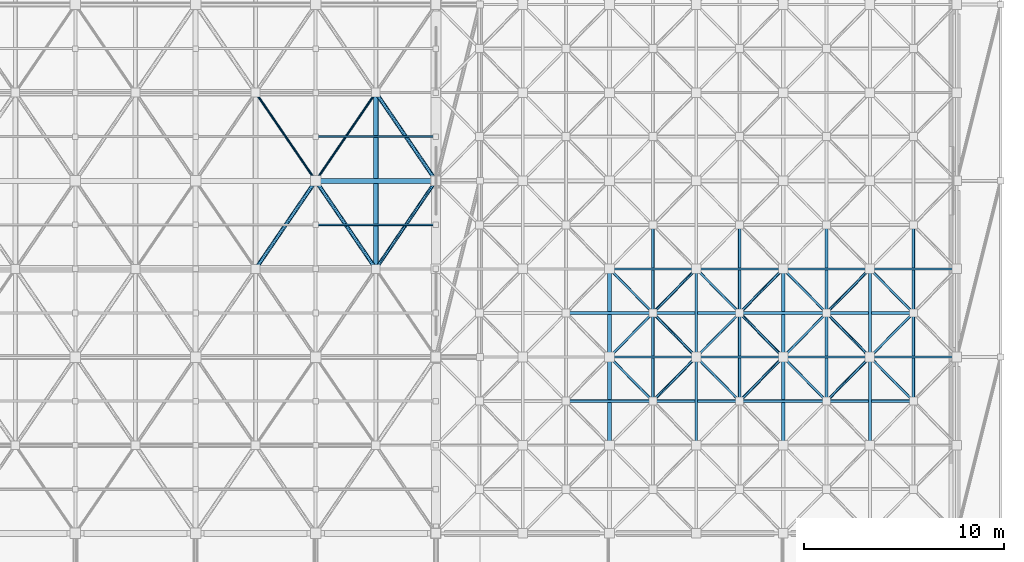
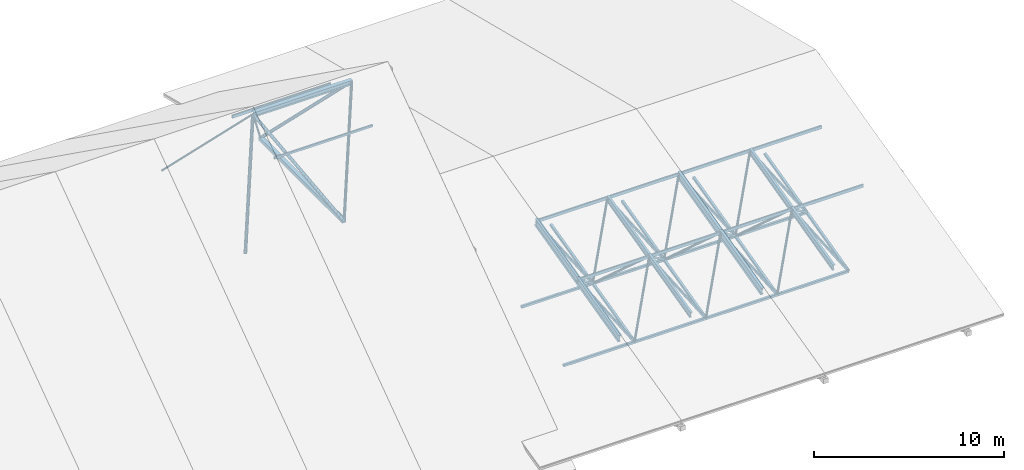
# One storey, part 27 of 55: 63 members.
"""IFC4 building model written with IfcOpenShell, lengths in metres."""

from ifc_helpers import new_model, si_unit, direction, frame, origin, origin_2d, place, context, subcontext, project, spatial, hollow_rectangle, hollow_circle, i_section, extrude, material, material_profile, profile_set, type_object, element, save


model = new_model("IFC4")

# Units and contexts
model_context = context("Model", 3, precision=1e-05, world=origin(), true_north=direction((0.0, 1.0)))
body_context = subcontext(model_context, "Body", "Model", "MODEL_VIEW")
ifc_project = project(units=[si_unit("LENGTHUNIT", "METRE"), si_unit("AREAUNIT", "SQUARE_METRE"), si_unit("VOLUMEUNIT", "CUBIC_METRE"), si_unit("PLANEANGLEUNIT", "RADIAN"), si_unit("MASSUNIT", "GRAM", prefix="KILO")], contexts=[model_context])

# Site, building, storey
site_placement = place(None, origin())
site = spatial("IfcSite", under=ifc_project, at=site_placement, CompositionType="ELEMENT")
building_placement = place(site_placement, origin())
building = spatial("IfcBuilding", under=site, at=building_placement, Name="Varnakota Cinema and Media Centre", CompositionType="ELEMENT")
storey_placement = place(building_placement, frame((0.0, 0.0, 15.60009765625)))
storey = spatial("IfcBuildingStorey", under=building, at=storey_placement, Name="L04", CompositionType="ELEMENT", Elevation=15.60009765625)

# Members
ifc_material_1 = material(Name="Structural steel S355 (YSt 355)", Category="steel")
ifc_material_profile_1 = material_profile(ifc_material_1, hollow_circle(Radius=0.05712890625, WallThickness=0.00537109375, at=origin_2d()), Name="CHS 114.3x5.4")
ifc_profile_set_1 = profile_set([ifc_material_profile_1], Name="Structural steel S355 (YSt 355)")
member_type_1 = type_object("IfcMemberType", Name="MEM-ST-CHS114_3x5_4", PredefinedType="BRACE", material=ifc_profile_set_1)
for number, where, z_axis, x_axis, name in (
    (1, (126.0, 22.0, 7.64990234375), (0.40117263642, -0.58837347441, 0.702052113734), (0.826221523208, 0.563345359959, 0.0), "V1 space-frame diagonal 9.3.2"),
    (2, (132.0, 22.0, 7.64990234375), (-0.40117263642, -0.58837347441, 0.702052113734), (0.826221523208, -0.563345359959, 0.0), "V1 space-frame diagonal 10.3.1"),
):
    element("IfcMember", number, at=place(storey_placement, frame(where, z_axis=z_axis, x_axis=x_axis)), inside=storey, type_object=member_type_1, Name=name, PredefinedType="BRACE", context=body_context, shape_type="SweptSolid", body=[
        extrude(hollow_circle(Radius=0.05712890625, WallThickness=0.00537109375, at=origin_2d()), origin(), (0.0, 0.0, 1.0), 7.47802734375),
    ])
ifc_material_2 = material(Name="Structural steel S355 (YSt 355)", Category="steel")
ifc_material_profile_2 = material_profile(ifc_material_2, hollow_circle(Radius=0.06982421875, WallThickness=0.006103515625, at=origin_2d()), Name="CHS 139.7x6.0")
ifc_profile_set_2 = profile_set([ifc_material_profile_2], Name="Structural steel S355 (YSt 355)")
member_type_2 = type_object("IfcMemberType", Name="MEM-ST-CHS139_7x6_0", PredefinedType="CHORD", material=ifc_profile_set_2)
member_1_placement = place(storey_placement, frame((145.833251953125, 6.60009765625, -0.9501953125), z_axis=(0.47175085434, 0.478979937854, 0.740290044889), x_axis=(-0.712462822052, 0.701709859695, 0.0)))
element("IfcMember", 3, at=member_1_placement, inside=storey, type_object=member_type_2, Name="V2 space-truss diagonal 3.2.4", PredefinedType="CHORD", context=body_context, shape_type="SweptSolid", body=[
    extrude(hollow_circle(Radius=0.06982421875, WallThickness=0.006103515625, at=origin_2d()), origin(), (0.0, 0.0, 1.0), 4.593017578125),
])
member_2_placement = place(storey_placement, frame((145.833251953125, 11.0, 0.14990234375), z_axis=(0.562747911139, -0.571371428425, 0.597368796714), x_axis=(0.712462822052, 0.701709859695, 0.0)))
element("IfcMember", 4, at=member_2_placement, inside=storey, type_object=member_type_2, Name="V2 space-truss diagonal 3.3.2", PredefinedType="CHORD", context=body_context, shape_type="SweptSolid", body=[
    extrude(hollow_circle(Radius=0.06982421875, WallThickness=0.006103515625, at=origin_2d()), origin(), (0.0, 0.0, 1.0), 3.850341796875),
])
for number, where, z_axis, x_axis, name in (
    (5, (145.833251953125, 11.0, 0.14990234375), (0.47176941823, 0.478998786216, 0.74026601896), (-0.712462822052, 0.701709859695, 0.0), "V2 space-truss diagonal 3.3.4"),
    (6, (150.166748046875, 6.60009765625, -0.9501953125), (0.471709527351, 0.478991948496, 0.740308608002), (-0.712502351494, 0.701669722246, 0.0), "V2 space-truss diagonal 4.2.4"),
):
    element("IfcMember", number, at=place(storey_placement, frame(where, z_axis=z_axis, x_axis=x_axis)), inside=storey, type_object=member_type_2, Name=name, PredefinedType="CHORD", context=body_context, shape_type="SweptSolid", body=[
        extrude(hollow_circle(Radius=0.06982421875, WallThickness=0.006103515625, at=origin_2d()), origin(), (0.0, 0.0, 1.0), 4.5927734375),
    ])
member_3_placement = place(storey_placement, frame((150.166748046875, 11.0, 0.14990234375), z_axis=(0.562704581049, -0.571391816523, 0.59739011247), x_axis=(0.712502351494, 0.701669722246, 0.0)))
element("IfcMember", 7, at=member_3_placement, inside=storey, type_object=member_type_2, Name="V2 space-truss diagonal 4.3.2", PredefinedType="CHORD", context=body_context, shape_type="SweptSolid", body=[
    extrude(hollow_circle(Radius=0.06982421875, WallThickness=0.006103515625, at=origin_2d()), origin(), (0.0, 0.0, 1.0), 3.85009765625),
])
member_4_placement = place(storey_placement, frame((150.166748046875, 11.0, 0.14990234375), z_axis=(0.471728090545, 0.479010798276, 0.740284582931), x_axis=(-0.712502351494, 0.701669722246, 0.0)))
element("IfcMember", 8, at=member_4_placement, inside=storey, type_object=member_type_2, Name="V2 space-truss diagonal 4.3.4", PredefinedType="CHORD", context=body_context, shape_type="SweptSolid", body=[
    extrude(hollow_circle(Radius=0.06982421875, WallThickness=0.006103515625, at=origin_2d()), origin(), (0.0, 0.0, 1.0), 4.5927734375),
])
member_5_placement = place(storey_placement, frame((154.5, 6.60009765625, -0.9501953125), z_axis=(0.47175085434, 0.478979937854, 0.740290044889), x_axis=(-0.712462822052, 0.701709859695, 0.0)))
element("IfcMember", 9, at=member_5_placement, inside=storey, type_object=member_type_2, Name="V2 space-truss diagonal 5.2.4", PredefinedType="CHORD", context=body_context, shape_type="SweptSolid", body=[
    extrude(hollow_circle(Radius=0.06982421875, WallThickness=0.006103515625, at=origin_2d()), origin(), (0.0, 0.0, 1.0), 4.593017578125),
])
member_6_placement = place(storey_placement, frame((154.5, 11.0, 0.14990234375), z_axis=(0.562747911139, -0.571371428425, 0.597368796714), x_axis=(0.712462822052, 0.701709859695, 0.0)))
element("IfcMember", 10, at=member_6_placement, inside=storey, type_object=member_type_2, Name="V2 space-truss diagonal 5.3.2", PredefinedType="CHORD", context=body_context, shape_type="SweptSolid", body=[
    extrude(hollow_circle(Radius=0.06982421875, WallThickness=0.006103515625, at=origin_2d()), origin(), (0.0, 0.0, 1.0), 3.850341796875),
])
member_7_placement = place(storey_placement, frame((154.5, 11.0, 0.14990234375), z_axis=(0.47176941823, 0.478998786216, 0.74026601896), x_axis=(-0.712462822052, 0.701709859695, 0.0)))
element("IfcMember", 11, at=member_7_placement, inside=storey, type_object=member_type_2, Name="V2 space-truss diagonal 5.3.4", PredefinedType="CHORD", context=body_context, shape_type="SweptSolid", body=[
    extrude(hollow_circle(Radius=0.06982421875, WallThickness=0.006103515625, at=origin_2d()), origin(), (0.0, 0.0, 1.0), 4.5927734375),
])
ifc_material_3 = material(Name="Structural steel S355 (YSt 355)", Category="steel")
ifc_material_profile_3 = material_profile(ifc_material_3, hollow_circle(Radius=0.084228515625, WallThickness=0.00634765625, at=origin_2d()), Name="CHS 168.3x6.3")
ifc_profile_set_3 = profile_set([ifc_material_profile_3], Name="Structural steel S355 (YSt 355)")
member_type_3 = type_object("IfcMemberType", Name="MEM-ST-CHS168_3x6_3", PredefinedType="BRACE", material=ifc_profile_set_3)
member_8_placement = place(storey_placement, frame((132.0, 13.199951171875, 7.64990234375), z_axis=(0.40116493033, 0.588394819283, 0.702038628078), x_axis=(-0.826236071711, 0.563324022037, 0.0)))
element("IfcMember", 12, at=member_8_placement, inside=storey, type_object=member_type_3, Name="V1 space-frame diagonal 10.2.4", PredefinedType="BRACE", context=body_context, shape_type="SweptSolid", body=[
    extrude(hollow_circle(Radius=0.084228515625, WallThickness=0.00634765625, at=origin_2d()), origin(), (0.0, 0.0, 1.0), 7.478271484375),
])
ifc_material_4 = material(Name="Structural steel S355 (YSt 355)", Category="steel")
ifc_material_profile_4 = material_profile(ifc_material_4, hollow_circle(Radius=0.096923828125, WallThickness=0.00634765625, at=origin_2d()), Name="CHS 193.7x6.3")
ifc_profile_set_4 = profile_set([ifc_material_profile_4], Name="Structural steel S355 (YSt 355)")
member_type_4 = type_object("IfcMemberType", Name="MEM-ST-CHS193_7x6_3", PredefinedType="CHORD", material=ifc_profile_set_4)
for number, where, z_axis, x_axis, name in (
    (13, (126.0, 13.199951171875, 7.64990234375), (0.40116493033, 0.588394819283, 0.702038628078), (-0.826236071711, 0.563324022037, 0.0), "V1 space-frame diagonal 9.2.4"),
    (14, (132.0, 13.199951171875, 7.64990234375), (-0.40116493033, 0.588394819283, 0.702038628078), (-0.826236071711, -0.563324022037, 0.0), "V1 space-frame diagonal 10.2.3"),
):
    element("IfcMember", number, at=place(storey_placement, frame(where, z_axis=z_axis, x_axis=x_axis)), inside=storey, type_object=member_type_4, Name=name, PredefinedType="CHORD", context=body_context, shape_type="SweptSolid", body=[
        extrude(hollow_circle(Radius=0.096923828125, WallThickness=0.00634765625, at=origin_2d()), origin(), (0.0, 0.0, 1.0), 7.478271484375),
    ])
member_9_placement = place(storey_placement, frame((132.0, 22.0, 7.64990234375), z_axis=(0.40117263642, -0.58837347441, 0.702052113734), x_axis=(0.826221523208, 0.563345359959, 0.0)))
element("IfcMember", 15, at=member_9_placement, inside=storey, type_object=member_type_4, Name="V1 space-frame diagonal 10.3.2", PredefinedType="CHORD", context=body_context, shape_type="SweptSolid", body=[
    extrude(hollow_circle(Radius=0.096923828125, WallThickness=0.00634765625, at=origin_2d()), origin(), (0.0, 0.0, 1.0), 7.47802734375),
])
ifc_material_5 = material(Name="Structural steel Grade 350 (E350)", Category="steel")
ifc_material_profile_5 = material_profile(ifc_material_5, i_section(OverallWidth=0.25, OverallDepth=0.300048828125, WebThickness=0.009521484375, FlangeThickness=0.010498046875, FilletRadius=0.010986328125, at=origin_2d()), Name="ISHB 300")
ifc_profile_set_5 = profile_set([ifc_material_profile_5], Name="Structural steel Grade 350 (E350)")
member_type_5 = type_object("IfcMemberType", Name="MEM-ST-ISHB300", PredefinedType="CHORD", material=ifc_profile_set_5)
member_10_placement = place(storey_placement, frame((129.0, 17.60009765625, 12.89990234375), z_axis=(1.0, 0.0, 0.0), x_axis=(0.0, 1.0, 0.0)))
element("IfcMember", 16, at=member_10_placement, inside=storey, type_object=member_type_5, Name="V1 top longitudinal chord 10.3", PredefinedType="CHORD", context=body_context, shape_type="SweptSolid", body=[
    extrude(i_section(OverallWidth=0.25, OverallDepth=0.300048828125, WebThickness=0.009521484375, FlangeThickness=0.010498046875, FilletRadius=0.010986328125, at=origin_2d()), origin(), (0.0, 0.0, 1.0), 6.0),
])
ifc_material_6 = material(Name="Structural steel Grade 350 (E350)", Category="steel")
ifc_material_profile_6 = material_profile(ifc_material_6, i_section(OverallWidth=0.139892578125, OverallDepth=0.39990234375, WebThickness=0.0087890625, FlangeThickness=0.01611328125, FilletRadius=0.013916015625, at=origin_2d()), Name="ISMB 400")
ifc_profile_set_6 = profile_set([ifc_material_profile_6], Name="Structural steel Grade 350 (E350)")
member_type_6 = type_object("IfcMemberType", Name="MEM-ST-ISMB400", PredefinedType="RAFTER", material=ifc_profile_set_6)
member_11_placement = place(storey_placement, frame((148.0, 4.39990234375, 1.349853515625), z_axis=(0.0, 0.970139333719, 0.242548290392), x_axis=(-1.0, 0.0, 0.0)))
element("IfcMember", 17, at=member_11_placement, inside=storey, type_object=member_type_6, Name="V2 truss rafter 4.2", PredefinedType="RAFTER", context=body_context, shape_type="SweptSolid", body=[
    extrude(i_section(OverallWidth=0.139892578125, OverallDepth=0.39990234375, WebThickness=0.0087890625, FlangeThickness=0.01611328125, FilletRadius=0.013916015625, at=origin_2d()), origin(), (0.0, 0.0, 1.0), 4.53564453125),
])
member_12_placement = place(storey_placement, frame((148.0, 8.800048828125, 2.449951171875), z_axis=(0.0, 0.970148832916, 0.242510292547), x_axis=(-1.0, 0.0, 0.0)))
element("IfcMember", 18, at=member_12_placement, inside=storey, type_object=member_type_6, Name="V2 truss rafter 4.3", PredefinedType="RAFTER", context=body_context, shape_type="SweptSolid", body=[
    extrude(i_section(OverallWidth=0.139892578125, OverallDepth=0.39990234375, WebThickness=0.0087890625, FlangeThickness=0.01611328125, FilletRadius=0.013916015625, at=origin_2d()), origin(), (0.0, 0.0, 1.0), 4.535400390625),
])
member_13_placement = place(storey_placement, frame((156.666748046875, 4.39990234375, 1.349853515625), z_axis=(0.0, 0.970139333719, 0.242548290392), x_axis=(-1.0, 0.0, 0.0)))
element("IfcMember", 19, at=member_13_placement, inside=storey, type_object=member_type_6, Name="V2 truss rafter 6.2", PredefinedType="RAFTER", context=body_context, shape_type="SweptSolid", body=[
    extrude(i_section(OverallWidth=0.139892578125, OverallDepth=0.39990234375, WebThickness=0.0087890625, FlangeThickness=0.01611328125, FilletRadius=0.013916015625, at=origin_2d()), origin(), (0.0, 0.0, 1.0), 4.53564453125),
])
member_14_placement = place(storey_placement, frame((156.666748046875, 8.800048828125, 2.449951171875), z_axis=(0.0, 0.970148832916, 0.242510292547), x_axis=(-1.0, 0.0, 0.0)))
element("IfcMember", 20, at=member_14_placement, inside=storey, type_object=member_type_6, Name="V2 truss rafter 6.3", PredefinedType="RAFTER", context=body_context, shape_type="SweptSolid", body=[
    extrude(i_section(OverallWidth=0.139892578125, OverallDepth=0.39990234375, WebThickness=0.0087890625, FlangeThickness=0.01611328125, FilletRadius=0.013916015625, at=origin_2d()), origin(), (0.0, 0.0, 1.0), 4.535400390625),
])
ifc_material_7 = material(Name="Structural steel Grade 350 (E350)", Category="steel")
ifc_material_profile_7 = material_profile(ifc_material_7, i_section(OverallWidth=0.179931640625, OverallDepth=0.5, WebThickness=0.01025390625, FlangeThickness=0.01708984375, FilletRadius=0.01708984375, at=origin_2d()), Name="ISMB 500")
ifc_profile_set_7 = profile_set([ifc_material_profile_7], Name="Structural steel Grade 350 (E350)")
member_type_7 = type_object("IfcMemberType", Name="MEM-ST-ISMB500", PredefinedType="RAFTER", material=ifc_profile_set_7)
member_15_placement = place(storey_placement, frame((143.666748046875, 4.39990234375, 1.349853515625), z_axis=(0.0, 0.970139333719, 0.242548290392), x_axis=(-1.0, 0.0, 0.0)))
element("IfcMember", 21, at=member_15_placement, inside=storey, type_object=member_type_7, Name="V2 truss rafter 3.2", PredefinedType="RAFTER", context=body_context, shape_type="SweptSolid", body=[
    extrude(i_section(OverallWidth=0.179931640625, OverallDepth=0.5, WebThickness=0.01025390625, FlangeThickness=0.01708984375, FilletRadius=0.01708984375, at=origin_2d()), origin(), (0.0, 0.0, 1.0), 4.53564453125),
])
member_16_placement = place(storey_placement, frame((143.666748046875, 8.800048828125, 2.449951171875), z_axis=(0.0, 0.970148832916, 0.242510292547), x_axis=(-1.0, 0.0, 0.0)))
element("IfcMember", 22, at=member_16_placement, inside=storey, type_object=member_type_7, Name="V2 truss rafter 3.3", PredefinedType="RAFTER", context=body_context, shape_type="SweptSolid", body=[
    extrude(i_section(OverallWidth=0.179931640625, OverallDepth=0.5, WebThickness=0.01025390625, FlangeThickness=0.01708984375, FilletRadius=0.01708984375, at=origin_2d()), origin(), (0.0, 0.0, 1.0), 4.535400390625),
])
member_17_placement = place(storey_placement, frame((152.333251953125, 4.39990234375, 1.349853515625), z_axis=(0.0, 0.970139333719, 0.242548290392), x_axis=(-1.0, 0.0, 0.0)))
element("IfcMember", 23, at=member_17_placement, inside=storey, type_object=member_type_7, Name="V2 truss rafter 5.2", PredefinedType="RAFTER", context=body_context, shape_type="SweptSolid", body=[
    extrude(i_section(OverallWidth=0.179931640625, OverallDepth=0.5, WebThickness=0.01025390625, FlangeThickness=0.01708984375, FilletRadius=0.01708984375, at=origin_2d()), origin(), (0.0, 0.0, 1.0), 4.53564453125),
])
member_18_placement = place(storey_placement, frame((152.333251953125, 8.800048828125, 2.449951171875), z_axis=(0.0, 0.970148832916, 0.242510292547), x_axis=(-1.0, 0.0, 0.0)))
element("IfcMember", 24, at=member_18_placement, inside=storey, type_object=member_type_7, Name="V2 truss rafter 5.3", PredefinedType="RAFTER", context=body_context, shape_type="SweptSolid", body=[
    extrude(i_section(OverallWidth=0.179931640625, OverallDepth=0.5, WebThickness=0.01025390625, FlangeThickness=0.01708984375, FilletRadius=0.01708984375, at=origin_2d()), origin(), (0.0, 0.0, 1.0), 4.535400390625),
])
ifc_material_8 = material(Name="Structural steel S355 (YSt 355)", Category="steel")
ifc_material_profile_8 = material_profile(ifc_material_8, hollow_rectangle(XDim=0.10009765625, YDim=0.14990234375, WallThickness=0.006103515625, InnerFilletRadius=0.006103515625, OuterFilletRadius=0.011962890625, at=origin_2d()), Name="RHS 150x100x6")
ifc_profile_set_8 = profile_set([ifc_material_profile_8], Name="Structural steel S355 (YSt 355)")
member_type_8 = type_object("IfcMemberType", Name="MEM-ST-RHS150x100x6", PredefinedType="PURLIN", material=ifc_profile_set_8)
member_19_placement = place(storey_placement, frame((129.0, 15.39990234375, 11.40478515625), z_axis=(1.0, 0.0, 0.0), x_axis=(0.0, 1.0, 0.0)))
element("IfcMember", 25, at=member_19_placement, inside=storey, type_object=member_type_8, Name="V1 roof purlin 6.10", PredefinedType="PURLIN", context=body_context, shape_type="SweptSolid", body=[
    extrude(hollow_rectangle(XDim=0.10009765625, YDim=0.14990234375, WallThickness=0.006103515625, InnerFilletRadius=0.006103515625, OuterFilletRadius=0.011962890625, at=origin_2d()), origin(), (0.0, 0.0, 1.0), 6.0),
])
ifc_material_9 = material(Name="Structural steel S355 (YSt 355)", Category="steel")
ifc_material_profile_9 = material_profile(ifc_material_9, hollow_rectangle(XDim=0.10009765625, YDim=0.199951171875, WallThickness=0.006103515625, InnerFilletRadius=0.006103515625, OuterFilletRadius=0.011962890625, at=origin_2d()), Name="RHS 200x100x6")
ifc_profile_set_9 = profile_set([ifc_material_profile_9], Name="Structural steel S355 (YSt 355)")
member_type_9 = type_object("IfcMemberType", Name="MEM-ST-RHS200x100x6", PredefinedType="PURLIN", material=ifc_profile_set_9)
member_20_placement = place(storey_placement, frame((129.0, 19.800048828125, 11.40478515625), z_axis=(1.0, 0.0, 0.0), x_axis=(0.0, 1.0, 0.0)))
element("IfcMember", 26, at=member_20_placement, inside=storey, type_object=member_type_9, Name="V1 roof purlin 7.10", PredefinedType="PURLIN", context=body_context, shape_type="SweptSolid", body=[
    extrude(hollow_rectangle(XDim=0.10009765625, YDim=0.199951171875, WallThickness=0.006103515625, InnerFilletRadius=0.006103515625, OuterFilletRadius=0.011962890625, at=origin_2d()), origin(), (0.0, 0.0, 1.0), 6.0),
])
for number, where, z_axis, x_axis, name in (
    (27, (143.666748046875, 8.800048828125, 2.449951171875), (1.0, 0.0, 0.0), (0.0, 1.0, 0.0), "V2 top chord 3.3"),
    (28, (143.666748046875, 13.199951171875, 3.5498046875), (1.0, 0.0, 0.0), (0.0, 1.0, 0.0), "V2 top chord 3.4"),
    (29, (148.0, 8.800048828125, 2.449951171875), (1.0, 0.0, 0.0), (0.0, 1.0, 0.0), "V2 top chord 4.3"),
    (30, (148.0, 13.199951171875, 3.5498046875), (1.0, 0.0, 0.0), (0.0, 1.0, 0.0), "V2 top chord 4.4"),
):
    element("IfcMember", number, at=place(storey_placement, frame(where, z_axis=z_axis, x_axis=x_axis)), inside=storey, type_object=member_type_9, Name=name, PredefinedType="PURLIN", context=body_context, shape_type="SweptSolid", body=[
        extrude(hollow_rectangle(XDim=0.10009765625, YDim=0.199951171875, WallThickness=0.006103515625, InnerFilletRadius=0.006103515625, OuterFilletRadius=0.011962890625, at=origin_2d()), origin(), (0.0, 0.0, 1.0), 4.333251953125),
    ])
for number, where, z_axis, x_axis, name in (
    (31, (152.333251953125, 8.800048828125, 2.449951171875), (1.0, 0.0, 0.0), (0.0, 1.0, 0.0), "V2 top chord 5.3"),
    (32, (152.333251953125, 13.199951171875, 3.5498046875), (1.0, 0.0, 0.0), (0.0, 1.0, 0.0), "V2 top chord 5.4"),
):
    element("IfcMember", number, at=place(storey_placement, frame(where, z_axis=z_axis, x_axis=x_axis)), inside=storey, type_object=member_type_9, Name=name, PredefinedType="PURLIN", context=body_context, shape_type="SweptSolid", body=[
        extrude(hollow_rectangle(XDim=0.10009765625, YDim=0.199951171875, WallThickness=0.006103515625, InnerFilletRadius=0.006103515625, OuterFilletRadius=0.011962890625, at=origin_2d()), origin(), (0.0, 0.0, 1.0), 4.33349609375),
    ])
for number, where, z_axis, x_axis, name in (
    (33, (156.666748046875, 8.800048828125, 2.449951171875), (1.0, 0.0, 0.0), (0.0, 1.0, 0.0), "V2 top chord 6.3"),
    (34, (156.666748046875, 13.199951171875, 3.5498046875), (1.0, 0.0, 0.0), (0.0, 1.0, 0.0), "V2 top chord 6.4"),
):
    element("IfcMember", number, at=place(storey_placement, frame(where, z_axis=z_axis, x_axis=x_axis)), inside=storey, type_object=member_type_9, Name=name, PredefinedType="PURLIN", context=body_context, shape_type="SweptSolid", body=[
        extrude(hollow_rectangle(XDim=0.10009765625, YDim=0.199951171875, WallThickness=0.006103515625, InnerFilletRadius=0.006103515625, OuterFilletRadius=0.011962890625, at=origin_2d()), origin(), (0.0, 0.0, 1.0), 4.333251953125),
    ])
ifc_material_10 = material(Name="Structural steel S355 (YSt 355)", Category="steel")
ifc_material_profile_10 = material_profile(ifc_material_10, hollow_rectangle(XDim=0.1201171875, YDim=0.1201171875, WallThickness=0.006103515625, InnerFilletRadius=0.006103515625, OuterFilletRadius=0.011962890625, at=origin_2d()), Name="SHS 120x120x6")
ifc_profile_set_10 = profile_set([ifc_material_profile_10], Name="Structural steel S355 (YSt 355)")
member_type_10 = type_object("IfcMemberType", Name="MEM-ST-SHS120x120x6", PredefinedType="STRUT", material=ifc_profile_set_10)
member_21_placement = place(storey_placement, frame((145.833251953125, 6.60009765625, -0.9501953125), z_axis=(-0.471709527351, 0.478991948496, 0.740308608002), x_axis=(-0.712502351494, -0.701669722246, 0.0)))
element("IfcMember", 35, at=member_21_placement, inside=storey, type_object=member_type_10, Name="V2 space-truss diagonal 3.2.3", PredefinedType="STRUT", context=body_context, shape_type="SweptSolid", body=[
    extrude(hollow_rectangle(XDim=0.1201171875, YDim=0.1201171875, WallThickness=0.006103515625, InnerFilletRadius=0.006103515625, OuterFilletRadius=0.011962890625, at=origin_2d()), origin(), (0.0, 0.0, 1.0), 4.5927734375),
])
member_22_placement = place(storey_placement, frame((145.833251953125, 11.0, 0.14990234375), z_axis=(-0.562704581049, -0.571391816523, 0.59739011247), x_axis=(0.712502351494, -0.701669722246, 0.0)))
element("IfcMember", 36, at=member_22_placement, inside=storey, type_object=member_type_10, Name="V2 space-truss diagonal 3.3.1", PredefinedType="STRUT", context=body_context, shape_type="SweptSolid", body=[
    extrude(hollow_rectangle(XDim=0.1201171875, YDim=0.1201171875, WallThickness=0.006103515625, InnerFilletRadius=0.006103515625, OuterFilletRadius=0.011962890625, at=origin_2d()), origin(), (0.0, 0.0, 1.0), 3.85009765625),
])
member_23_placement = place(storey_placement, frame((145.833251953125, 11.0, 0.14990234375), z_axis=(-0.471728090545, 0.479010798276, 0.740284582931), x_axis=(-0.712502351494, -0.701669722246, 0.0)))
element("IfcMember", 37, at=member_23_placement, inside=storey, type_object=member_type_10, Name="V2 space-truss diagonal 3.3.3", PredefinedType="STRUT", context=body_context, shape_type="SweptSolid", body=[
    extrude(hollow_rectangle(XDim=0.1201171875, YDim=0.1201171875, WallThickness=0.006103515625, InnerFilletRadius=0.006103515625, OuterFilletRadius=0.011962890625, at=origin_2d()), origin(), (0.0, 0.0, 1.0), 4.5927734375),
])
member_24_placement = place(storey_placement, frame((150.166748046875, 6.60009765625, -0.9501953125), z_axis=(-0.47175085434, 0.478979937854, 0.740290044889), x_axis=(-0.712462822052, -0.701709859695, 0.0)))
element("IfcMember", 38, at=member_24_placement, inside=storey, type_object=member_type_10, Name="V2 space-truss diagonal 4.2.3", PredefinedType="STRUT", context=body_context, shape_type="SweptSolid", body=[
    extrude(hollow_rectangle(XDim=0.1201171875, YDim=0.1201171875, WallThickness=0.006103515625, InnerFilletRadius=0.006103515625, OuterFilletRadius=0.011962890625, at=origin_2d()), origin(), (0.0, 0.0, 1.0), 4.593017578125),
])
member_25_placement = place(storey_placement, frame((150.166748046875, 11.0, 0.14990234375), z_axis=(-0.562747911139, -0.571371428425, 0.597368796714), x_axis=(0.712462822052, -0.701709859695, 0.0)))
element("IfcMember", 39, at=member_25_placement, inside=storey, type_object=member_type_10, Name="V2 space-truss diagonal 4.3.1", PredefinedType="STRUT", context=body_context, shape_type="SweptSolid", body=[
    extrude(hollow_rectangle(XDim=0.1201171875, YDim=0.1201171875, WallThickness=0.006103515625, InnerFilletRadius=0.006103515625, OuterFilletRadius=0.011962890625, at=origin_2d()), origin(), (0.0, 0.0, 1.0), 3.850341796875),
])
member_26_placement = place(storey_placement, frame((150.166748046875, 11.0, 0.14990234375), z_axis=(-0.47176941823, 0.478998786216, 0.74026601896), x_axis=(-0.712462822052, -0.701709859695, 0.0)))
element("IfcMember", 40, at=member_26_placement, inside=storey, type_object=member_type_10, Name="V2 space-truss diagonal 4.3.3", PredefinedType="STRUT", context=body_context, shape_type="SweptSolid", body=[
    extrude(hollow_rectangle(XDim=0.1201171875, YDim=0.1201171875, WallThickness=0.006103515625, InnerFilletRadius=0.006103515625, OuterFilletRadius=0.011962890625, at=origin_2d()), origin(), (0.0, 0.0, 1.0), 4.5927734375),
])
member_27_placement = place(storey_placement, frame((154.5, 6.60009765625, -0.9501953125), z_axis=(-0.47175085434, 0.478979937854, 0.740290044889), x_axis=(-0.712462822052, -0.701709859695, 0.0)))
element("IfcMember", 41, at=member_27_placement, inside=storey, type_object=member_type_10, Name="V2 space-truss diagonal 5.2.3", PredefinedType="STRUT", context=body_context, shape_type="SweptSolid", body=[
    extrude(hollow_rectangle(XDim=0.1201171875, YDim=0.1201171875, WallThickness=0.006103515625, InnerFilletRadius=0.006103515625, OuterFilletRadius=0.011962890625, at=origin_2d()), origin(), (0.0, 0.0, 1.0), 4.593017578125),
])
member_28_placement = place(storey_placement, frame((154.5, 11.0, 0.14990234375), z_axis=(-0.562747911139, -0.571371428425, 0.597368796714), x_axis=(0.712462822052, -0.701709859695, 0.0)))
element("IfcMember", 42, at=member_28_placement, inside=storey, type_object=member_type_10, Name="V2 space-truss diagonal 5.3.1", PredefinedType="STRUT", context=body_context, shape_type="SweptSolid", body=[
    extrude(hollow_rectangle(XDim=0.1201171875, YDim=0.1201171875, WallThickness=0.006103515625, InnerFilletRadius=0.006103515625, OuterFilletRadius=0.011962890625, at=origin_2d()), origin(), (0.0, 0.0, 1.0), 3.850341796875),
])
for number, where, z_axis, x_axis, name in (
    (43, (154.5, 11.0, 0.14990234375), (-0.47176941823, 0.478998786216, 0.74026601896), (-0.712462822052, -0.701709859695, 0.0), "V2 space-truss diagonal 5.3.3"),
    (44, (158.833251953125, 6.60009765625, -0.9501953125), (-0.471709527351, 0.478991948496, 0.740308608002), (-0.712502351494, -0.701669722246, 0.0), "V2 space-truss diagonal 6.2.3"),
):
    element("IfcMember", number, at=place(storey_placement, frame(where, z_axis=z_axis, x_axis=x_axis)), inside=storey, type_object=member_type_10, Name=name, PredefinedType="STRUT", context=body_context, shape_type="SweptSolid", body=[
        extrude(hollow_rectangle(XDim=0.1201171875, YDim=0.1201171875, WallThickness=0.006103515625, InnerFilletRadius=0.006103515625, OuterFilletRadius=0.011962890625, at=origin_2d()), origin(), (0.0, 0.0, 1.0), 4.5927734375),
    ])
member_29_placement = place(storey_placement, frame((158.833251953125, 11.0, 0.14990234375), z_axis=(-0.562704581049, -0.571391816523, 0.59739011247), x_axis=(0.712502351494, -0.701669722246, 0.0)))
element("IfcMember", 45, at=member_29_placement, inside=storey, type_object=member_type_10, Name="V2 space-truss diagonal 6.3.1", PredefinedType="STRUT", context=body_context, shape_type="SweptSolid", body=[
    extrude(hollow_rectangle(XDim=0.1201171875, YDim=0.1201171875, WallThickness=0.006103515625, InnerFilletRadius=0.006103515625, OuterFilletRadius=0.011962890625, at=origin_2d()), origin(), (0.0, 0.0, 1.0), 3.85009765625),
])
member_30_placement = place(storey_placement, frame((158.833251953125, 11.0, 0.14990234375), z_axis=(-0.471728090545, 0.479010798276, 0.740284582931), x_axis=(-0.712502351494, -0.701669722246, 0.0)))
element("IfcMember", 46, at=member_30_placement, inside=storey, type_object=member_type_10, Name="V2 space-truss diagonal 6.3.3", PredefinedType="STRUT", context=body_context, shape_type="SweptSolid", body=[
    extrude(hollow_rectangle(XDim=0.1201171875, YDim=0.1201171875, WallThickness=0.006103515625, InnerFilletRadius=0.006103515625, OuterFilletRadius=0.011962890625, at=origin_2d()), origin(), (0.0, 0.0, 1.0), 4.5927734375),
])
ifc_material_11 = material(Name="Structural steel S355 (YSt 355)", Category="steel")
ifc_material_profile_11 = material_profile(ifc_material_11, hollow_rectangle(XDim=0.14990234375, YDim=0.14990234375, WallThickness=0.008056640625, InnerFilletRadius=0.008056640625, OuterFilletRadius=0.01611328125, at=origin_2d()), Name="SHS 150x150x8")
ifc_profile_set_11 = profile_set([ifc_material_profile_11], Name="Structural steel S355 (YSt 355)")
member_type_11 = type_object("IfcMemberType", Name="MEM-ST-SHS150x150x8", PredefinedType="STRUT", material=ifc_profile_set_11)
for number, where, z_axis, x_axis, name in (
    (47, (141.5, 6.60009765625, -0.9501953125), (1.0, 0.0, 0.0), (0.0, 1.0, 0.0), "V2 bottom longitudinal chord 2.2"),
    (48, (141.5, 11.0, 0.14990234375), (1.0, 0.0, 0.0), (0.0, 1.0, 0.0), "V2 bottom longitudinal chord 2.3"),
):
    element("IfcMember", number, at=place(storey_placement, frame(where, z_axis=z_axis, x_axis=x_axis)), inside=storey, type_object=member_type_11, Name=name, PredefinedType="STRUT", context=body_context, shape_type="SweptSolid", body=[
        extrude(hollow_rectangle(XDim=0.14990234375, YDim=0.14990234375, WallThickness=0.008056640625, InnerFilletRadius=0.008056640625, OuterFilletRadius=0.01611328125, at=origin_2d()), origin(), (0.0, 0.0, 1.0), 4.333251953125),
    ])
for number, where, z_axis, x_axis, name in (
    (49, (145.833251953125, 6.60009765625, -0.9501953125), (1.0, 0.0, 0.0), (0.0, 1.0, 0.0), "V2 bottom longitudinal chord 3.2"),
    (50, (145.833251953125, 11.0, 0.14990234375), (1.0, 0.0, 0.0), (0.0, 1.0, 0.0), "V2 bottom longitudinal chord 3.3"),
):
    element("IfcMember", number, at=place(storey_placement, frame(where, z_axis=z_axis, x_axis=x_axis)), inside=storey, type_object=member_type_11, Name=name, PredefinedType="STRUT", context=body_context, shape_type="SweptSolid", body=[
        extrude(hollow_rectangle(XDim=0.14990234375, YDim=0.14990234375, WallThickness=0.008056640625, InnerFilletRadius=0.008056640625, OuterFilletRadius=0.01611328125, at=origin_2d()), origin(), (0.0, 0.0, 1.0), 4.33349609375),
    ])
for number, where, z_axis, x_axis, name in (
    (51, (150.166748046875, 6.60009765625, -0.9501953125), (1.0, 0.0, 0.0), (0.0, 1.0, 0.0), "V2 bottom longitudinal chord 4.2"),
    (52, (150.166748046875, 11.0, 0.14990234375), (1.0, 0.0, 0.0), (0.0, 1.0, 0.0), "V2 bottom longitudinal chord 4.3"),
    (53, (154.5, 6.60009765625, -0.9501953125), (1.0, 0.0, 0.0), (0.0, 1.0, 0.0), "V2 bottom longitudinal chord 5.2"),
    (54, (154.5, 11.0, 0.14990234375), (1.0, 0.0, 0.0), (0.0, 1.0, 0.0), "V2 bottom longitudinal chord 5.3"),
):
    element("IfcMember", number, at=place(storey_placement, frame(where, z_axis=z_axis, x_axis=x_axis)), inside=storey, type_object=member_type_11, Name=name, PredefinedType="STRUT", context=body_context, shape_type="SweptSolid", body=[
        extrude(hollow_rectangle(XDim=0.14990234375, YDim=0.14990234375, WallThickness=0.008056640625, InnerFilletRadius=0.008056640625, OuterFilletRadius=0.01611328125, at=origin_2d()), origin(), (0.0, 0.0, 1.0), 4.333251953125),
    ])
for number, where, z_axis, x_axis, name in (
    (55, (145.833251953125, 6.60009765625, -0.9501953125), (0.0, 0.970136166796, 0.242560957029), (-1.0, 0.0, 0.0), "V2 bottom transverse chord 3.2"),
    (56, (145.833251953125, 11.0, 0.14990234375), (0.0, 0.970136166796, 0.242560957029), (-1.0, 0.0, 0.0), "V2 bottom transverse chord 3.3"),
    (57, (150.166748046875, 6.60009765625, -0.9501953125), (0.0, 0.970136166796, 0.242560957029), (-1.0, 0.0, 0.0), "V2 bottom transverse chord 4.2"),
    (58, (150.166748046875, 11.0, 0.14990234375), (0.0, 0.970136166796, 0.242560957029), (-1.0, 0.0, 0.0), "V2 bottom transverse chord 4.3"),
    (59, (154.5, 6.60009765625, -0.9501953125), (0.0, 0.970136166796, 0.242560957029), (-1.0, 0.0, 0.0), "V2 bottom transverse chord 5.2"),
    (60, (154.5, 11.0, 0.14990234375), (0.0, 0.970136166796, 0.242560957029), (-1.0, 0.0, 0.0), "V2 bottom transverse chord 5.3"),
    (61, (158.833251953125, 6.60009765625, -0.9501953125), (0.0, 0.970136166796, 0.242560957029), (-1.0, 0.0, 0.0), "V2 bottom transverse chord 6.2"),
    (62, (158.833251953125, 11.0, 0.14990234375), (0.0, 0.970136166796, 0.242560957029), (-1.0, 0.0, 0.0), "V2 bottom transverse chord 6.3"),
):
    element("IfcMember", number, at=place(storey_placement, frame(where, z_axis=z_axis, x_axis=x_axis)), inside=storey, type_object=member_type_11, Name=name, PredefinedType="STRUT", context=body_context, shape_type="SweptSolid", body=[
        extrude(hollow_rectangle(XDim=0.14990234375, YDim=0.14990234375, WallThickness=0.008056640625, InnerFilletRadius=0.008056640625, OuterFilletRadius=0.01611328125, at=origin_2d()), origin(), (0.0, 0.0, 1.0), 4.535400390625),
    ])
ifc_material_12 = material(Name="Structural steel S355 (YSt 355)", Category="steel")
ifc_material_profile_12 = material_profile(ifc_material_12, hollow_rectangle(XDim=0.25, YDim=0.25, WallThickness=0.010009765625, InnerFilletRadius=0.010009765625, OuterFilletRadius=0.02001953125, at=origin_2d()), Name="SHS 250x250x10")
ifc_profile_set_12 = profile_set([ifc_material_profile_12], Name="Structural steel S355 (YSt 355)")
member_type_12 = type_object("IfcMemberType", Name="MEM-ST-SHS250x250x10", PredefinedType="STRUT", material=ifc_profile_set_12)
member_31_placement = place(storey_placement, frame((132.0, 13.199951171875, 7.64990234375), z_axis=(0.0, 1.0, 0.0), x_axis=(-1.0, 0.0, 0.0)))
element("IfcMember", 63, at=member_31_placement, inside=storey, type_object=member_type_12, Name="V1 bottom transverse chord 10.2", PredefinedType="STRUT", context=body_context, shape_type="SweptSolid", body=[
    extrude(hollow_rectangle(XDim=0.25, YDim=0.25, WallThickness=0.010009765625, InnerFilletRadius=0.010009765625, OuterFilletRadius=0.02001953125, at=origin_2d()), origin(), (0.0, 0.0, 1.0), 8.800048828125),
])

save(model, "model.ifc")
